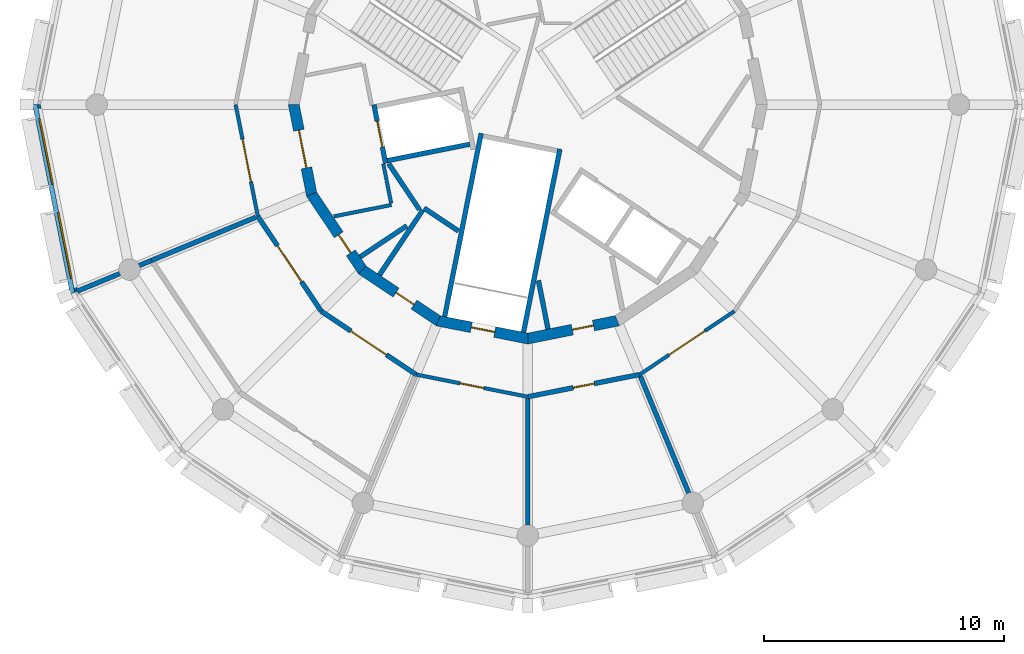
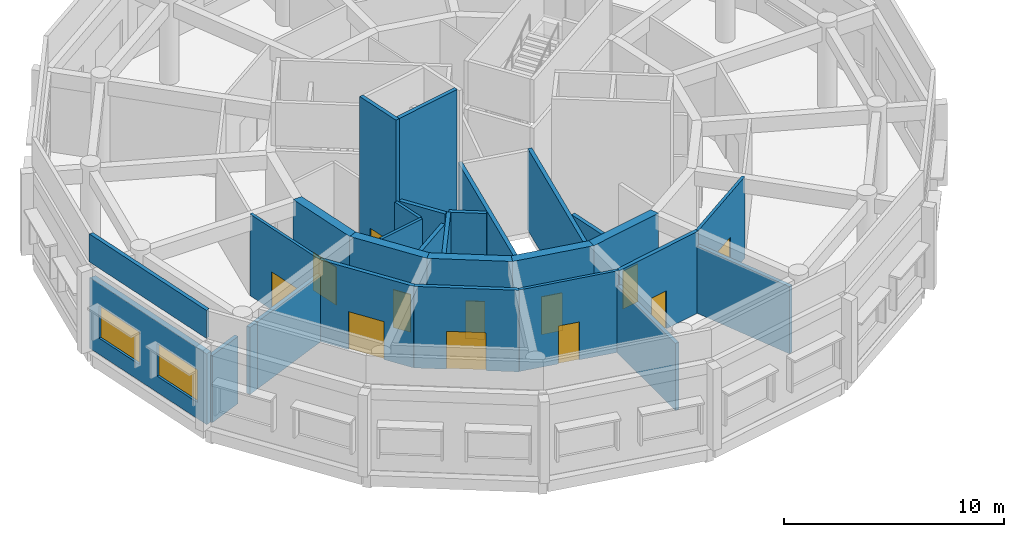
# One storey, part 3 of 8: 29 walls, 12 doors, 2 windows, 14 openings.
"""IFC4 building model written with IfcOpenShell, lengths in metres."""

from ifc_helpers import new_model, si_unit, direction, frame, frame_2d, origin, place, context, subcontext, project, spatial, polyline, rectangle, outline, extrude, material, layer, layer_set, type_object, element, fill, save


model = new_model("IFC4")

# Units and contexts
model_context = context("Model", 3, precision=1e-05, world=origin(), true_north=direction((0.0, 1.0)))
body_context = subcontext(model_context, "Body", "Model", "MODEL_VIEW")
ifc_project = project(units=[si_unit("LENGTHUNIT", "METRE"), si_unit("AREAUNIT", "SQUARE_METRE"), si_unit("VOLUMEUNIT", "CUBIC_METRE"), si_unit("PLANEANGLEUNIT", "RADIAN"), si_unit("MASSUNIT", "GRAM", prefix="KILO")], contexts=[model_context])

# Site, building, storey
site_placement = place(None, origin())
site = spatial("IfcSite", under=ifc_project, at=site_placement, CompositionType="ELEMENT")
building_placement = place(site_placement, origin())
building = spatial("IfcBuilding", under=site, at=building_placement, Name="Ceibo Conservatory and Research Tower", CompositionType="ELEMENT")
storey_placement = place(building_placement, frame((0.0, 0.0, 20.39990234375)))
storey = spatial("IfcBuildingStorey", under=building, at=storey_placement, Name="L04", CompositionType="ELEMENT", Elevation=20.39990234375)

# Wall, opening, door
ifc_material_1 = material(Name="Masonry blockwork", Category="masonry")
ifc_layer_1 = layer(ifc_material_1, 0.199951171875)
ifc_layer_set_1 = layer_set([ifc_layer_1], Name="Masonry blockwork")
wall_type_1 = type_object("IfcWallType", Name="Compartment wall 200 EI 120", PredefinedType="SOLIDWALL", material=ifc_layer_set_1)
wall_1_placement = place(storey_placement, frame((43.331298828125, 108.728759765625, 0.0), z_axis=(0.0, 0.0, 1.0), x_axis=(-0.831481744248, 0.555552075851, 0.0)))
wall_1 = element("IfcWall", 1, at=wall_1_placement, inside=storey, type_object=wall_type_1, Name="Partition 04.009", PredefinedType="SOLIDWALL", context=body_context, shape_type="SweptSolid", body=[
    extrude(rectangle(XDim=4.76025390625, YDim=0.199951171875, at=frame_2d((2.380126953125, 0.0))), origin(), (0.0, 0.0, 1.0), 4.52001953125),
])
opening_1_placement = place(wall_1_placement, frame((1.480224609375, 0.0, 0.0)))
opening_1 = element("IfcOpeningElement", 2, at=opening_1_placement, cuts=wall_1, Name="Opening T04-02", PredefinedType="OPENING", context=body_context, shape_type="SweptSolid", body=[
    extrude(rectangle(XDim=1.800048828125, YDim=2.10009765625, at=frame_2d((0.89990234375, 1.050048828125))), frame((0.0, 0.10986328125, 0.0), z_axis=(0.0, -1.0, 0.0), x_axis=(1.0, 0.0, 0.0)), (0.0, 0.0, 1.0), 0.219970703125),
])
ifc_material_2 = material(Name="Galvanised sheet steel DX51D", Category="steel")
door_type_1 = type_object("IfcDoorType", Name="Door fire double 1800x2100 EI 60", OperationType="DOUBLE_DOOR_SINGLE_SWING", PredefinedType="DOOR", material=ifc_material_2)
door_1_placement = place(opening_1_placement, origin())
door_1 = element("IfcDoor", 3, at=door_1_placement, inside=storey, type_object=door_type_1, Name="Door T04-02", OperationType="DOUBLE_DOOR_SINGLE_SWING", OverallHeight=2.10009765625, OverallWidth=1.800048828125, PredefinedType="DOOR", context=body_context, shape_type="SweptSolid", body=[
    extrude(rectangle(XDim=1.800048828125, YDim=2.10009765625, at=frame_2d((0.89990234375, 1.050048828125))), frame((0.0, 0.02490234375, 0.0), z_axis=(0.0, -1.0, 0.0), x_axis=(1.0, 0.0, 0.0)), (0.0, 0.0, 1.0), 0.050048828125),
])
fill(opening_1, door_1)

wall_2_placement = place(storey_placement, frame((39.373291015625, 111.373291015625, 0.0), z_axis=(0.0, 0.0, 1.0), x_axis=(-0.555552075851, 0.831481744248, 0.0)))
wall_2 = element("IfcWall", 4, at=wall_2_placement, inside=storey, type_object=wall_type_1, Name="Partition 04.010", PredefinedType="SOLIDWALL", context=body_context, shape_type="SweptSolid", body=[
    extrude(rectangle(XDim=4.76025390625, YDim=0.199951171875, at=frame_2d((2.380126953125, 0.0))), origin(), (0.0, 0.0, 1.0), 4.52001953125),
])
opening_2_placement = place(wall_2_placement, frame((1.480224609375, 0.0, 0.0)))
opening_2 = element("IfcOpeningElement", 5, at=opening_2_placement, cuts=wall_2, Name="Opening T04-01", PredefinedType="OPENING", context=body_context, shape_type="SweptSolid", body=[
    extrude(rectangle(XDim=1.800048828125, YDim=2.10009765625, at=frame_2d((0.89990234375, 1.050048828125))), frame((0.0, 0.10986328125, 0.0), z_axis=(0.0, -1.0, 0.0), x_axis=(1.0, 0.0, 0.0)), (0.0, 0.0, 1.0), 0.219970703125),
])
door_2_placement = place(opening_2_placement, origin())
door_2 = element("IfcDoor", 6, at=door_2_placement, inside=storey, type_object=door_type_1, Name="Door T04-01", OperationType="DOUBLE_DOOR_SINGLE_SWING", OverallHeight=2.10009765625, OverallWidth=1.800048828125, PredefinedType="DOOR", context=body_context, shape_type="SweptSolid", body=[
    extrude(rectangle(XDim=1.800048828125, YDim=2.10009765625, at=frame_2d((0.89990234375, 1.050048828125))), frame((0.0, 0.02490234375, 0.0), z_axis=(0.0, -1.0, 0.0), x_axis=(1.0, 0.0, 0.0)), (0.0, 0.0, 1.0), 0.050048828125),
])
fill(opening_2, door_2)

wall_3_placement = place(storey_placement, frame((52.668701171875, 108.728759765625, 0.0), z_axis=(0.0, 0.0, 1.0), x_axis=(-0.980783329432, -0.195100129956, 0.0)))
wall_3 = element("IfcWall", 7, at=wall_3_placement, inside=storey, type_object=wall_type_1, Name="Partition 04.013", PredefinedType="SOLIDWALL", context=body_context, shape_type="SweptSolid", body=[
    extrude(rectangle(XDim=4.76025390625, YDim=0.199951171875, at=frame_2d((2.380126953125, 0.0))), origin(), (0.0, 0.0, 1.0), 4.52001953125),
])
opening_3_placement = place(wall_3_placement, frame((1.93017578125, 0.0, 0.0)))
opening_3 = element("IfcOpeningElement", 8, at=opening_3_placement, cuts=wall_3, Name="Opening T04-05", PredefinedType="OPENING", context=body_context, shape_type="SweptSolid", body=[
    extrude(rectangle(XDim=0.89990234375, YDim=2.10009765625, at=frame_2d((0.449951171875, 1.050048828125))), frame((0.0, 0.10986328125, 0.0), z_axis=(0.0, -1.0, 0.0), x_axis=(1.0, 0.0, 0.0)), (0.0, 0.0, 1.0), 0.219970703125),
])
door_type_2 = type_object("IfcDoorType", Name="Door fire single 900x2100 EI 60 (left hand)", OperationType="SINGLE_SWING_LEFT", PredefinedType="DOOR", material=ifc_material_2)
door_3_placement = place(opening_3_placement, origin())
door_3 = element("IfcDoor", 9, at=door_3_placement, inside=storey, type_object=door_type_2, Name="Door T04-05", OperationType="SINGLE_SWING_LEFT", OverallHeight=2.10009765625, OverallWidth=0.89990234375, PredefinedType="DOOR", context=body_context, shape_type="SweptSolid", body=[
    extrude(rectangle(XDim=0.89990234375, YDim=2.10009765625, at=frame_2d((0.449951171875, 1.050048828125))), frame((0.0, 0.02490234375, 0.0), z_axis=(0.0, -1.0, 0.0), x_axis=(1.0, 0.0, 0.0)), (0.0, 0.0, 1.0), 0.050048828125),
])
fill(opening_3, door_3)

# Walls
wall_4_placement = place(storey_placement, frame((32.294189453125, 113.494384765625, 0.0), z_axis=(0.0, 0.0, 1.0), x_axis=(0.923875105, 0.382694121147, 0.0)))
element("IfcWall", 10, at=wall_4_placement, inside=storey, type_object=wall_type_1, Name="Partition 04.020", PredefinedType="SOLIDWALL", context=body_context, shape_type="SweptSolid", body=[
    extrude(rectangle(XDim=4.702880859375, YDim=0.199951171875, at=frame_2d((2.3515625, 0.0))), origin(), (0.0, 0.0, 1.0), 3.72021484375),
])
wall_5_placement = place(storey_placement, frame((29.183349609375, 112.205810546875, 0.0), z_axis=(0.0, 0.0, 1.0), x_axis=(0.923854683638, 0.382743417344, 0.0)))
element("IfcWall", 11, at=wall_5_placement, inside=storey, type_object=wall_type_1, Name="Partition 04.023", PredefinedType="SOLIDWALL", context=body_context, shape_type="SweptSolid", body=[
    extrude(rectangle(XDim=1.927001953125, YDim=0.199951171875, at=frame_2d((0.96337890625, 0.0))), origin(), (0.0, 0.0, 1.0), 3.72021484375),
])
wall_6_placement = place(storey_placement, frame((31.776611328125, 113.280029296875, 0.0), z_axis=(0.0, 0.0, 1.0), x_axis=(0.92383614176, 0.382788170111, 0.0)))
element("IfcWall", 12, at=wall_6_placement, inside=storey, type_object=wall_type_1, Name="Partition 04.024", PredefinedType="SOLIDWALL", context=body_context, shape_type="SweptSolid", body=[
    extrude(rectangle(XDim=0.56005859375, YDim=0.199951171875, at=frame_2d((0.280029296875, 0.0))), origin(), (0.0, 0.0, 1.0), 3.72021484375),
])
for number, where, z_axis, x_axis, name in (
    (13, (48.0, 107.728515625, 0.0), (0.0, 0.0, 1.0), (0.0, -1.0, 0.0), "Partition 04.026"),
    (14, (52.696044921875, 108.66259765625, 0.0), (0.0, 0.0, 1.0), (0.382696986079, -0.923873918263, 0.0), "Partition 04.027"),
):
    element("IfcWall", number, at=place(storey_placement, frame(where, z_axis=z_axis, x_axis=x_axis)), inside=storey, type_object=wall_type_1, Name=name, PredefinedType="SOLIDWALL", context=body_context, shape_type="SweptSolid", body=[
        extrude(rectangle(XDim=5.28857421875, YDim=0.199951171875, at=frame_2d((2.644287109375, 0.0))), origin(), (0.0, 0.0, 1.0), 3.72021484375),
    ])

# Wall, opening, door
ifc_material_3 = material(Name="Concrete C35/45", Category="concrete")
ifc_layer_2 = layer(ifc_material_3, 0.449951171875)
ifc_layer_set_2 = layer_set([ifc_layer_2], Name="Concrete C35/45")
wall_type_2 = type_object("IfcWallType", Name="Core wall 450 C35", PredefinedType="SHEAR", material=ifc_layer_set_2)
wall_7_placement = place(storey_placement, frame((38.2294921875, 120.0, 0.0), z_axis=(0.0, 0.0, 1.0), x_axis=(0.195069197673, -0.98078948206, 0.0)))
wall_7 = element("IfcWall", 15, at=wall_7_placement, inside=storey, type_object=wall_type_2, Name="Core wall L04 09", PredefinedType="SHEAR", context=body_context, shape_type="SweptSolid", body=[
    extrude(outline(polyline([(-0.044677734375, -0.22509765625), (3.85693359375, -0.22509765625), (3.767578125, 0.22509765625), (0.044677734375, 0.22509765625), (-0.044677734375, -0.22509765625)])), origin(), (0.0, 0.0, 1.0), 4.52001953125),
])
opening_4_placement = place(wall_7_placement, frame((1.0947265625, 0.0, 0.0)))
opening_4 = element("IfcOpeningElement", 16, at=opening_4_placement, cuts=wall_7, Name="Opening C04-06", PredefinedType="OPENING", context=body_context, shape_type="SweptSolid", body=[
    extrude(rectangle(XDim=1.60009765625, YDim=2.10009765625, at=frame_2d((0.800048828125, 1.050048828125))), frame((0.0, 0.23486328125, 0.0), z_axis=(0.0, -1.0, 0.0), x_axis=(1.0, 0.0, 0.0)), (0.0, 0.0, 1.0), 0.469970703125),
])
door_type_3 = type_object("IfcDoorType", Name="Lobby double door 1600x2100 EI 60", OperationType="DOUBLE_DOOR_SINGLE_SWING", PredefinedType="DOOR", material=ifc_material_2)
door_4_placement = place(opening_4_placement, frame((1.60009765625, 0.0, 0.0), z_axis=(0.0, 0.0, 1.0), x_axis=(-1.0, 0.0, 0.0)))
door_4 = element("IfcDoor", 17, at=door_4_placement, inside=storey, type_object=door_type_3, Name="Goods Lift Lobby door 04", OperationType="DOUBLE_DOOR_SINGLE_SWING", OverallHeight=2.10009765625, OverallWidth=1.60009765625, PredefinedType="DOOR", context=body_context, shape_type="SweptSolid", body=[
    extrude(rectangle(XDim=1.60009765625, YDim=2.10009765625, at=frame_2d((0.800048828125, 1.050048828125))), frame((0.0, 0.02490234375, 0.0), z_axis=(0.0, -1.0, 0.0), x_axis=(1.0, 0.0, 0.0)), (0.0, 0.0, 1.0), 0.050048828125),
])
fill(opening_4, door_4)

wall_8_placement = place(storey_placement, frame((38.97314453125, 116.260986328125, 0.0), z_axis=(0.0, 0.0, 1.0), x_axis=(0.555542277102, -0.83148829117, 0.0)))
wall_8 = element("IfcWall", 18, at=wall_8_placement, inside=storey, type_object=wall_type_2, Name="Core wall L04 10", PredefinedType="SHEAR", context=body_context, shape_type="SweptSolid", body=[
    extrude(outline(polyline([(-0.044677734375, -0.22509765625), (3.85693359375, -0.22509765625), (3.767578125, 0.22509765625), (0.044677734375, 0.22509765625), (-0.044677734375, -0.22509765625)])), origin(), (0.0, 0.0, 1.0), 4.52001953125),
])
opening_5_placement = place(wall_8_placement, frame((2.044677734375, 0.0, 0.0)))
opening_5 = element("IfcOpeningElement", 19, at=opening_5_placement, cuts=wall_8, Name="Opening C04-10", PredefinedType="OPENING", context=body_context, shape_type="SweptSolid", body=[
    extrude(rectangle(XDim=0.89990234375, YDim=2.10009765625, at=frame_2d((0.449951171875, 1.050048828125))), frame((0.0, 0.23486328125, 0.0), z_axis=(0.0, -1.0, 0.0), x_axis=(1.0, 0.0, 0.0)), (0.0, 0.0, 1.0), 0.469970703125),
])
door_type_4 = type_object("IfcDoorType", Name="Riser door 900x2100 EI 60 (left hand)", OperationType="SINGLE_SWING_LEFT", PredefinedType="DOOR", material=ifc_material_2)
door_5_placement = place(opening_5_placement, frame((0.89990234375, 0.0, 0.0), z_axis=(0.0, 0.0, 1.0), x_axis=(-1.0, 0.0, 0.0)))
door_5 = element("IfcDoor", 20, at=door_5_placement, inside=storey, type_object=door_type_4, Name="Cleaner Store door 04", OperationType="SINGLE_SWING_LEFT", OverallHeight=2.10009765625, OverallWidth=0.89990234375, PredefinedType="DOOR", context=body_context, shape_type="SweptSolid", body=[
    extrude(rectangle(XDim=0.89990234375, YDim=2.10009765625, at=frame_2d((0.449951171875, 1.050048828125))), frame((0.0, 0.02490234375, 0.0), z_axis=(0.0, -1.0, 0.0), x_axis=(1.0, 0.0, 0.0)), (0.0, 0.0, 1.0), 0.050048828125),
])
fill(opening_5, door_5)

wall_9_placement = place(storey_placement, frame((41.091064453125, 113.091064453125, 0.0), z_axis=(0.0, 0.0, 1.0), x_axis=(0.83148829117, -0.555542277102, 0.0)))
wall_9 = element("IfcWall", 21, at=wall_9_placement, inside=storey, type_object=wall_type_2, Name="Core wall L04 11", PredefinedType="SHEAR", context=body_context, shape_type="SweptSolid", body=[
    extrude(outline(polyline([(-0.044677734375, -0.22509765625), (3.85693359375, -0.22509765625), (3.767578125, 0.22509765625), (0.044677734375, 0.22509765625), (-0.044677734375, -0.22509765625)])), origin(), (0.0, 0.0, 1.0), 4.52001953125),
])
opening_6_placement = place(wall_9_placement, frame((1.694580078125, 0.0, 0.0)))
opening_6 = element("IfcOpeningElement", 22, at=opening_6_placement, cuts=wall_9, Name="Opening C04-09", PredefinedType="OPENING", context=body_context, shape_type="SweptSolid", body=[
    extrude(rectangle(XDim=0.89990234375, YDim=2.10009765625, at=frame_2d((0.449951171875, 1.050048828125))), frame((0.0, 0.23486328125, 0.0), z_axis=(0.0, -1.0, 0.0), x_axis=(1.0, 0.0, 0.0)), (0.0, 0.0, 1.0), 0.469970703125),
])
door_6_placement = place(opening_6_placement, frame((0.89990234375, 0.0, 0.0), z_axis=(0.0, 0.0, 1.0), x_axis=(-1.0, 0.0, 0.0)))
door_6 = element("IfcDoor", 23, at=door_6_placement, inside=storey, type_object=door_type_4, Name="Electrical Riser door 04", OperationType="SINGLE_SWING_LEFT", OverallHeight=2.10009765625, OverallWidth=0.89990234375, PredefinedType="DOOR", context=body_context, shape_type="SweptSolid", body=[
    extrude(rectangle(XDim=0.89990234375, YDim=2.10009765625, at=frame_2d((0.449951171875, 1.050048828125))), frame((0.0, 0.02490234375, 0.0), z_axis=(0.0, -1.0, 0.0), x_axis=(1.0, 0.0, 0.0)), (0.0, 0.0, 1.0), 0.050048828125),
])
fill(opening_6, door_6)

wall_10_placement = place(storey_placement, frame((44.260986328125, 110.97314453125, 0.0), z_axis=(0.0, 0.0, 1.0), x_axis=(0.98078948206, -0.195069197673, 0.0)))
wall_10 = element("IfcWall", 24, at=wall_10_placement, inside=storey, type_object=wall_type_2, Name="Core wall L04 12", PredefinedType="SHEAR", context=body_context, shape_type="SweptSolid", body=[
    extrude(outline(polyline([(-0.044677734375, -0.22509765625), (3.85693359375, -0.22509765625), (3.767578125, 0.22509765625), (0.044677734375, 0.22509765625), (-0.044677734375, -0.22509765625)])), origin(), (0.0, 0.0, 1.0), 4.52001953125),
])
opening_7_placement = place(wall_10_placement, frame((1.40625, 0.0, 0.0)))
opening_7 = element("IfcOpeningElement", 25, at=opening_7_placement, cuts=wall_10, Name="Opening C04-03", PredefinedType="OPENING", context=body_context, shape_type="SweptSolid", body=[
    extrude(rectangle(XDim=1.0, YDim=2.10009765625, at=frame_2d((0.5, 1.050048828125))), frame((0.0, 0.23486328125, 0.0), z_axis=(0.0, -1.0, 0.0), x_axis=(1.0, 0.0, 0.0)), (0.0, 0.0, 1.0), 0.469970703125),
])
door_type_5 = type_object("IfcDoorType", Name="Stair door 1000x2100 EI 120 (left hand)", OperationType="SINGLE_SWING_LEFT", PredefinedType="DOOR", material=ifc_material_2)
door_7_placement = place(opening_7_placement, origin())
door_7 = element("IfcDoor", 26, at=door_7_placement, inside=storey, type_object=door_type_5, Name="Stair door ST3 04", OperationType="SINGLE_SWING_LEFT", OverallHeight=2.10009765625, OverallWidth=1.0, PredefinedType="DOOR", context=body_context, shape_type="SweptSolid", body=[
    extrude(rectangle(XDim=1.0, YDim=2.10009765625, at=frame_2d((0.5, 1.050048828125))), frame((0.0, 0.02490234375, 0.0), z_axis=(0.0, -1.0, 0.0), x_axis=(1.0, 0.0, 0.0)), (0.0, 0.0, 1.0), 0.050048828125),
])
fill(opening_7, door_7)

wall_11_placement = place(storey_placement, frame((48.0, 110.2294921875, 0.0), z_axis=(0.0, 0.0, 1.0), x_axis=(0.98078948206, 0.195069197673, 0.0)))
wall_11 = element("IfcWall", 27, at=wall_11_placement, inside=storey, type_object=wall_type_2, Name="Core wall L04 13", PredefinedType="SHEAR", context=body_context, shape_type="SweptSolid", body=[
    extrude(outline(polyline([(-0.044677734375, -0.22509765625), (3.85693359375, -0.22509765625), (3.767578125, 0.22509765625), (0.044677734375, 0.22509765625), (-0.044677734375, -0.22509765625)])), origin(), (0.0, 0.0, 1.0), 4.52001953125),
])
opening_8_placement = place(wall_11_placement, frame((1.894775390625, 0.0, 0.0)))
opening_8 = element("IfcOpeningElement", 28, at=opening_8_placement, cuts=wall_11, Name="Opening C04-11", PredefinedType="OPENING", context=body_context, shape_type="SweptSolid", body=[
    extrude(rectangle(XDim=0.89990234375, YDim=2.10009765625, at=frame_2d((0.449951171875, 1.050048828125))), frame((0.0, 0.23486328125, 0.0), z_axis=(0.0, -1.0, 0.0), x_axis=(1.0, 0.0, 0.0)), (0.0, 0.0, 1.0), 0.469970703125),
])
door_8_placement = place(opening_8_placement, frame((0.89990234375, 0.0, 0.0), z_axis=(0.0, 0.0, 1.0), x_axis=(-1.0, 0.0, 0.0)))
door_8 = element("IfcDoor", 29, at=door_8_placement, inside=storey, type_object=door_type_4, Name="Cleaner Store door 04", OperationType="SINGLE_SWING_LEFT", OverallHeight=2.10009765625, OverallWidth=0.89990234375, PredefinedType="DOOR", context=body_context, shape_type="SweptSolid", body=[
    extrude(rectangle(XDim=0.89990234375, YDim=2.10009765625, at=frame_2d((0.449951171875, 1.050048828125))), frame((0.0, 0.02490234375, 0.0), z_axis=(0.0, -1.0, 0.0), x_axis=(1.0, 0.0, 0.0)), (0.0, 0.0, 1.0), 0.050048828125),
])
fill(opening_8, door_8)

# Walls
ifc_material_4 = material(Name="Plasterboard on metal studs, fire board")
ifc_layer_3 = layer(ifc_material_4, 0.14990234375)
ifc_layer_set_3 = layer_set([ifc_layer_3], Name="Plasterboard on metal studs, fire board")
wall_type_3 = type_object("IfcWallType", Name="Corridor wall 150 EI 60", PredefinedType="PARTITIONING", material=ifc_layer_set_3)
wall_12_placement = place(storey_placement, frame((39.899169921875, 115.329833984375, 0.0), z_axis=(0.0, 0.0, 1.0), x_axis=(0.980782755583, 0.195103014715, 0.0)))
element("IfcWall", 30, at=wall_12_placement, inside=storey, type_object=wall_type_3, Name="Core partition 04.P004", PredefinedType="PARTITIONING", context=body_context, shape_type="SweptSolid", body=[
    extrude(rectangle(XDim=2.456298828125, YDim=0.14990234375, at=frame_2d((1.22802734375, 0.0))), origin(), (0.0, 0.0, 1.0), 4.52001953125),
])
wall_13_placement = place(storey_placement, frame((42.293701171875, 115.882568359375, 0.0), z_axis=(0.0, 0.0, 1.0), x_axis=(-0.195163043227, 0.980770812452, 0.0)))
element("IfcWall", 31, at=wall_13_placement, inside=storey, type_object=wall_type_3, Name="Core partition 04.P005", PredefinedType="PARTITIONING", context=body_context, shape_type="SweptSolid", body=[
    extrude(rectangle(XDim=1.675048828125, YDim=0.14990234375, at=frame_2d((0.83740234375, 0.0))), origin(), (0.0, 0.0, 1.0), 4.52001953125),
])

# Wall, opening, door
wall_14_placement = place(storey_placement, frame((48.0, 107.800048828125, 0.0), z_axis=(0.0, 0.0, 1.0), x_axis=(-0.980783329432, 0.195100129956, 0.0)))
wall_14 = element("IfcWall", 32, at=wall_14_placement, inside=storey, type_object=wall_type_3, Name="Partition 04.011", PredefinedType="PARTITIONING", context=body_context, shape_type="SweptSolid", body=[
    extrude(rectangle(XDim=4.76025390625, YDim=0.14990234375, at=frame_2d((2.380126953125, 0.0))), origin(), (0.0, 0.0, 1.0), 4.52001953125),
])
opening_9_placement = place(wall_14_placement, frame((1.880126953125, 0.0, 0.0)))
opening_9 = element("IfcOpeningElement", 33, at=opening_9_placement, cuts=wall_14, Name="Opening T04-04", PredefinedType="OPENING", context=body_context, shape_type="SweptSolid", body=[
    extrude(rectangle(XDim=1.0, YDim=2.10009765625, at=frame_2d((0.5, 1.050048828125))), frame((0.0, 0.0849609375, 0.0), z_axis=(0.0, -1.0, 0.0), x_axis=(1.0, 0.0, 0.0)), (0.0, 0.0, 1.0), 0.169921875),
])
door_type_6 = type_object("IfcDoorType", Name="Door fire single wide 1000x2100 EI 60 (left hand)", OperationType="SINGLE_SWING_LEFT", PredefinedType="DOOR", material=ifc_material_2)
door_9_placement = place(opening_9_placement, origin())
door_9 = element("IfcDoor", 34, at=door_9_placement, inside=storey, type_object=door_type_6, Name="Door T04-04", OperationType="SINGLE_SWING_LEFT", OverallHeight=2.10009765625, OverallWidth=1.0, PredefinedType="DOOR", context=body_context, shape_type="SweptSolid", body=[
    extrude(rectangle(XDim=1.0, YDim=2.10009765625, at=frame_2d((0.5, 1.050048828125))), frame((0.0, 0.02490234375, 0.0), z_axis=(0.0, -1.0, 0.0), x_axis=(1.0, 0.0, 0.0)), (0.0, 0.0, 1.0), 0.050048828125),
])
fill(opening_9, door_9)

wall_15_placement = place(storey_placement, frame((36.728759765625, 115.331298828125, 0.0), z_axis=(0.0, 0.0, 1.0), x_axis=(-0.195100129956, 0.980783329432, 0.0)))
wall_15 = element("IfcWall", 35, at=wall_15_placement, inside=storey, type_object=wall_type_3, Name="Partition 04.012", PredefinedType="PARTITIONING", context=body_context, shape_type="SweptSolid", body=[
    extrude(rectangle(XDim=4.76025390625, YDim=0.14990234375, at=frame_2d((2.380126953125, 0.0))), origin(), (0.0, 0.0, 1.0), 4.52001953125),
])
opening_10_placement = place(wall_15_placement, frame((1.480224609375, 0.0, 0.0)))
opening_10 = element("IfcOpeningElement", 36, at=opening_10_placement, cuts=wall_15, Name="Opening T04-14", PredefinedType="OPENING", context=body_context, shape_type="SweptSolid", body=[
    extrude(rectangle(XDim=1.800048828125, YDim=2.10009765625, at=frame_2d((0.89990234375, 1.050048828125))), frame((0.0, 0.0849609375, 0.0), z_axis=(0.0, -1.0, 0.0), x_axis=(1.0, 0.0, 0.0)), (0.0, 0.0, 1.0), 0.169921875),
])
door_10_placement = place(opening_10_placement, frame((1.800048828125, 0.0, 0.0), z_axis=(0.0, 0.0, 1.0), x_axis=(-1.0, 0.0, 0.0)))
door_10 = element("IfcDoor", 37, at=door_10_placement, inside=storey, type_object=door_type_1, Name="Door T04-14", OperationType="DOUBLE_DOOR_SINGLE_SWING", OverallHeight=2.10009765625, OverallWidth=1.800048828125, PredefinedType="DOOR", context=body_context, shape_type="SweptSolid", body=[
    extrude(rectangle(XDim=1.800048828125, YDim=2.10009765625, at=frame_2d((0.89990234375, 1.050048828125))), frame((0.0, 0.02490234375, 0.0), z_axis=(0.0, -1.0, 0.0), x_axis=(1.0, 0.0, 0.0)), (0.0, 0.0, 1.0), 0.050048828125),
])
fill(opening_10, door_10)

wall_16_placement = place(storey_placement, frame((56.626708984375, 111.373291015625, 0.0), z_axis=(0.0, 0.0, 1.0), x_axis=(-0.831481744248, -0.555552075851, 0.0)))
wall_16 = element("IfcWall", 38, at=wall_16_placement, inside=storey, type_object=wall_type_3, Name="Partition 04.016", PredefinedType="PARTITIONING", context=body_context, shape_type="SweptSolid", body=[
    extrude(rectangle(XDim=4.76025390625, YDim=0.14990234375, at=frame_2d((2.380126953125, 0.0))), origin(), (0.0, 0.0, 1.0), 4.52001953125),
])
opening_11_placement = place(wall_16_placement, frame((1.480224609375, 0.0, 0.0)))
opening_11 = element("IfcOpeningElement", 39, at=opening_11_placement, cuts=wall_16, Name="Opening T04-06", PredefinedType="OPENING", context=body_context, shape_type="SweptSolid", body=[
    extrude(rectangle(XDim=1.800048828125, YDim=2.10009765625, at=frame_2d((0.89990234375, 1.050048828125))), frame((0.0, 0.0849609375, 0.0), z_axis=(0.0, -1.0, 0.0), x_axis=(1.0, 0.0, 0.0)), (0.0, 0.0, 1.0), 0.169921875),
])
door_11_placement = place(opening_11_placement, origin())
door_11 = element("IfcDoor", 40, at=door_11_placement, inside=storey, type_object=door_type_1, Name="Door T04-06", OperationType="DOUBLE_DOOR_SINGLE_SWING", OverallHeight=2.10009765625, OverallWidth=1.800048828125, PredefinedType="DOOR", context=body_context, shape_type="SweptSolid", body=[
    extrude(rectangle(XDim=1.800048828125, YDim=2.10009765625, at=frame_2d((0.89990234375, 1.050048828125))), frame((0.0, 0.02490234375, 0.0), z_axis=(0.0, -1.0, 0.0), x_axis=(1.0, 0.0, 0.0)), (0.0, 0.0, 1.0), 0.050048828125),
])
fill(opening_11, door_11)

# Wall, openings, windows
ifc_material_5 = material(Name="Ceramic mosaic tessera")
ifc_layer_4 = layer(ifc_material_5, 0.010009765625, Name="Ceramic mosaic")
ifc_material_6 = material(Name="Polymer-modified bedding mortar")
ifc_layer_5 = layer(ifc_material_6, 0.014892578125, Name="Bedding mortar")
ifc_material_7 = material(Name="Mineral wool insulation")
ifc_layer_6 = layer(ifc_material_7, 0.050048828125, Name="Insulation")
ifc_material_8 = material(Name="Concrete C30/37", Category="concrete")
ifc_layer_7 = layer(ifc_material_8, 0.215087890625, Name="Reinforced concrete leaf")
ifc_material_9 = material(Name="Gypsum plaster")
ifc_layer_8 = layer(ifc_material_9, 0.010009765625, Name="Internal plaster")
ifc_layer_set_4 = layer_set([ifc_layer_4, ifc_layer_5, ifc_layer_6, ifc_layer_7, ifc_layer_8], Name="Concrete C30/37")
wall_type_4 = type_object("IfcWallType", Name="Facade panel wall 300", PredefinedType="SOLIDWALL", material=ifc_layer_set_4)
wall_17_placement = place(storey_placement, frame((27.5, 120.0, 0.0), z_axis=(0.0, 0.0, 1.0), x_axis=(0.195100566, -0.980783242692, 0.0)))
wall_17 = element("IfcWall", 41, at=wall_17_placement, inside=storey, type_object=wall_type_4, Name="Facade wall L04 facet 9", PredefinedType="SOLIDWALL", context=body_context, shape_type="SweptSolid", body=[
    extrude(outline(polyline([(-0.02978515625, -0.14990234375), (8.028564453125, -0.14990234375), (7.968994140625, 0.14990234375), (0.02978515625, 0.14990234375), (-0.02978515625, -0.14990234375)])), origin(), (0.0, 0.0, 1.0), 3.920166015625),
])
opening_12_placement = place(wall_17_placement, frame((0.599609375, 0.0, 0.89990234375)))
opening_12 = element("IfcOpeningElement", 42, at=opening_12_placement, cuts=wall_17, Name="Opening PW2", PredefinedType="OPENING", context=body_context, shape_type="SweptSolid", body=[
    extrude(rectangle(XDim=2.800048828125, YDim=1.800048828125, at=frame_2d((1.39990234375, 0.89990234375))), frame((0.0, 0.159912109375, 0.0), z_axis=(0.0, -1.0, 0.0), x_axis=(1.0, 0.0, 0.0)), (0.0, 0.0, 1.0), 0.320068359375),
])
opening_13_placement = place(wall_17_placement, frame((4.59912109375, 0.0, 0.89990234375)))
opening_13 = element("IfcOpeningElement", 43, at=opening_13_placement, cuts=wall_17, Name="Opening PW2", PredefinedType="OPENING", context=body_context, shape_type="SweptSolid", body=[
    extrude(rectangle(XDim=2.800048828125, YDim=1.800048828125, at=frame_2d((1.39990234375, 0.89990234375))), frame((0.0, 0.159912109375, 0.0), z_axis=(0.0, -1.0, 0.0), x_axis=(1.0, 0.0, 0.0)), (0.0, 0.0, 1.0), 0.320068359375),
])
ifc_material_10 = material(Name="Aluminium frame with double glazing", Category="aluminium")
window_type = type_object("IfcWindowType", Name="Punched window PW1 2800 x 1800", PartitioningType="DOUBLE_PANEL_VERTICAL", PredefinedType="WINDOW", material=ifc_material_10)
window_1_placement = place(opening_12_placement, origin())
window_1 = element("IfcWindow", 44, at=window_1_placement, inside=storey, type_object=window_type, Name="T.L04.F08.WIN.1", OverallHeight=1.800048828125, OverallWidth=2.800048828125, PartitioningType="DOUBLE_PANEL_VERTICAL", PredefinedType="WINDOW", context=body_context, shape_type="SweptSolid", body=[
    extrude(rectangle(XDim=2.800048828125, YDim=1.800048828125, at=frame_2d((1.39990234375, 0.89990234375))), frame((0.0, 0.030029296875, 0.0), z_axis=(0.0, -1.0, 0.0), x_axis=(1.0, 0.0, 0.0)), (0.0, 0.0, 1.0), 0.06005859375),
])
fill(opening_12, window_1)
window_2_placement = place(opening_13_placement, origin())
window_2 = element("IfcWindow", 45, at=window_2_placement, inside=storey, type_object=window_type, Name="T.L04.F08.WIN.2", OverallHeight=1.800048828125, OverallWidth=2.800048828125, PartitioningType="DOUBLE_PANEL_VERTICAL", PredefinedType="WINDOW", context=body_context, shape_type="SweptSolid", body=[
    extrude(rectangle(XDim=2.800048828125, YDim=1.800048828125, at=frame_2d((1.39990234375, 0.89990234375))), frame((0.0, 0.030029296875, 0.0), z_axis=(0.0, -1.0, 0.0), x_axis=(1.0, 0.0, 0.0)), (0.0, 0.0, 1.0), 0.06005859375),
])
fill(opening_13, window_2)

# Walls
ifc_layer_9 = layer(ifc_material_5, 0.010009765625, Name="Ceramic mosaic")
ifc_layer_10 = layer(ifc_material_8, 0.18994140625, Name="Reinforced concrete leaf")
ifc_layer_set_5 = layer_set([ifc_layer_9, ifc_layer_10], Name="Concrete C30/37")
wall_type_5 = type_object("IfcWallType", Name="Parapet wall 200", PredefinedType="PARAPET", material=ifc_layer_set_5)
wall_18_placement = place(storey_placement, frame((27.423583984375, 120.0, 4.800048828125), z_axis=(0.0, 0.0, 1.0), x_axis=(0.195075093926, -0.980788309336, 0.0)))
element("IfcWall", 46, at=wall_18_placement, inside=storey, type_object=wall_type_5, Name="Parapet L04 9", PredefinedType="PARAPET", context=body_context, shape_type="SweptSolid", body=[
    extrude(outline(polyline([(-0.019775390625, -0.10009765625), (8.04833984375, -0.10009765625), (8.0087890625, 0.10009765625), (0.019775390625, 0.10009765625), (-0.019775390625, -0.10009765625)])), origin(), (0.0, 0.0, 1.0), 1.550048828125),
])
ifc_layer_11 = layer(ifc_material_1, 0.199951171875)
ifc_layer_set_6 = layer_set([ifc_layer_11], Name="Masonry blockwork")
wall_type_6 = type_object("IfcWallType", Name="Riser wall 200 EI 120", PredefinedType="SOLIDWALL", material=ifc_layer_set_6)
wall_19_placement = place(storey_placement, frame((43.668701171875, 115.677978515625, 0.0), z_axis=(0.0, 0.0, 1.0), x_axis=(0.831439848025, -0.555614775826, 0.0)))
element("IfcWall", 47, at=wall_19_placement, inside=storey, type_object=wall_type_6, Name="Core partition 04.P018", PredefinedType="SOLIDWALL", context=body_context, shape_type="SweptSolid", body=[
    extrude(rectangle(XDim=1.72412109375, YDim=0.199951171875, at=frame_2d((0.862060546875, 0.0))), origin(), (0.0, 0.0, 1.0), 4.52001953125),
])
wall_20_placement = place(storey_placement, frame((41.80322265625, 112.885986328125, 0.0), z_axis=(0.0, 0.0, 1.0), x_axis=(0.555599142512, 0.83145029487, 0.0)))
element("IfcWall", 48, at=wall_20_placement, inside=storey, type_object=wall_type_6, Name="Core partition 04.P019", PredefinedType="SOLIDWALL", context=body_context, shape_type="SweptSolid", body=[
    extrude(rectangle(XDim=3.2578125, YDim=0.199951171875, at=frame_2d((1.62890625, 0.0))), origin(), (0.0, 0.0, 1.0), 4.52001953125),
])
wall_21_placement = place(storey_placement, frame((42.192138671875, 117.532470703125, 0.0), z_axis=(0.0, 0.0, 1.0), x_axis=(0.555553789041, -0.831480599583, 0.0)))
element("IfcWall", 49, at=wall_21_placement, inside=storey, type_object=wall_type_6, Name="Core partition 04.P020", PredefinedType="SOLIDWALL", context=body_context, shape_type="SweptSolid", body=[
    extrude(rectangle(XDim=2.309326171875, YDim=0.199951171875, at=frame_2d((1.15478515625, 0.0))), origin(), (0.0, 0.0, 1.0), 4.52001953125),
])
wall_22_placement = place(storey_placement, frame((42.948486328125, 114.941162109375, 0.0), z_axis=(0.0, 0.0, 1.0), x_axis=(-0.831409634376, -0.555659985842, 0.0)))
element("IfcWall", 50, at=wall_22_placement, inside=storey, type_object=wall_type_6, Name="Core partition 04.P021", PredefinedType="SOLIDWALL", context=body_context, shape_type="SweptSolid", body=[
    extrude(rectangle(XDim=2.34716796875, YDim=0.199951171875, at=frame_2d((1.173583984375, 0.0))), origin(), (0.0, 0.0, 1.0), 4.52001953125),
])
wall_23_placement = place(storey_placement, frame((48.8447265625, 110.626953125, 0.0), z_axis=(0.0, 0.0, 1.0), x_axis=(-0.195050146699, 0.980793270915, 0.0)))
element("IfcWall", 51, at=wall_23_placement, inside=storey, type_object=wall_type_6, Name="Core partition 04.P022", PredefinedType="SOLIDWALL", context=body_context, shape_type="SweptSolid", body=[
    extrude(rectangle(XDim=2.0703125, YDim=0.199951171875, at=frame_2d((1.03515625, 0.0))), origin(), (0.0, 0.0, 1.0), 4.52001953125),
])

# Wall, opening, door
ifc_layer_12 = layer(ifc_material_3, 0.199951171875)
ifc_layer_set_7 = layer_set([ifc_layer_12], Name="Concrete C35/45")
wall_type_7 = type_object("IfcWallType", Name="Shaft wall 200 C35", PredefinedType="SHEAR", material=ifc_layer_set_7)
wall_24_placement = place(storey_placement, frame((41.5771484375, 119.996826171875, 0.0), z_axis=(0.0, 0.0, 1.0), x_axis=(0.195120673769, -0.980779242576, 0.0)))
wall_24 = element("IfcWall", 52, at=wall_24_placement, inside=storey, type_object=wall_type_7, Name="Shaft wall LG1.F L04", PredefinedType="SHEAR", context=body_context, shape_type="SweptSolid", body=[
    extrude(rectangle(XDim=2.5, YDim=0.199951171875, at=frame_2d((1.25, 0.0))), origin(), (0.0, 0.0, 1.0), 9.02001953125),
])
opening_14_placement = place(wall_24_placement, frame((0.699951171875, 0.0, 0.0)))
opening_14 = element("IfcOpeningElement", 53, at=opening_14_placement, cuts=wall_24, Name="Opening LD-LG1-04", PredefinedType="OPENING", context=body_context, shape_type="SweptSolid", body=[
    extrude(rectangle(XDim=1.10009765625, YDim=2.10009765625, at=frame_2d((0.550048828125, 1.050048828125))), frame((0.0, 0.10986328125, 0.0), z_axis=(0.0, -1.0, 0.0), x_axis=(1.0, 0.0, 0.0)), (0.0, 0.0, 1.0), 0.219970703125),
])
ifc_material_11 = material(Name="Stainless steel AISI 316", Category="steel")
door_type_7 = type_object("IfcDoorType", Name="Lift landing door 1100x2100 EI 120", OperationType="SLIDING_TO_LEFT", PredefinedType="DOOR", material=ifc_material_11)
door_12_placement = place(opening_14_placement, origin())
door_12 = element("IfcDoor", 54, at=door_12_placement, inside=storey, type_object=door_type_7, Name="Lift landing door LG1 04", OperationType="SLIDING_TO_LEFT", OverallHeight=2.10009765625, OverallWidth=1.10009765625, PredefinedType="DOOR", context=body_context, shape_type="SweptSolid", body=[
    extrude(rectangle(XDim=1.10009765625, YDim=2.10009765625, at=frame_2d((0.550048828125, 1.050048828125))), frame((0.0, 0.02490234375, 0.0), z_axis=(0.0, -1.0, 0.0), x_axis=(1.0, 0.0, 0.0)), (0.0, 0.0, 1.0), 0.050048828125),
])
fill(opening_14, door_12)

# Walls
wall_25_placement = place(storey_placement, frame((45.576171875, 118.345458984375, 0.0), z_axis=(0.0, 0.0, 1.0), x_axis=(-0.980781381237, -0.195109923423, 0.0)))
element("IfcWall", 55, at=wall_25_placement, inside=storey, type_object=wall_type_7, Name="Shaft wall LG1.S1 L04", PredefinedType="SHEAR", context=body_context, shape_type="SweptSolid", body=[
    extrude(rectangle(XDim=3.5, YDim=0.199951171875, at=frame_2d((1.75, 0.0))), origin(), (0.0, 0.0, 1.0), 9.02001953125),
])
ifc_layer_13 = layer(ifc_material_3, 0.199951171875)
ifc_layer_set_8 = layer_set([ifc_layer_13], Name="Concrete C35/45")
wall_type_8 = type_object("IfcWallType", Name="Stair wall 200 C35", PredefinedType="SHEAR", material=ifc_layer_set_8)
for number, where, z_axis, x_axis, name in (
    (56, (49.3388671875, 118.145263671875, 0.0), (0.0, 0.0, 1.0), (-0.195092759861, -0.980784795483, 0.0), "Stair wall ST3.W1 L04"),
    (57, (46.05322265625, 118.798828125, 0.0), (0.0, 0.0, 1.0), (-0.195092759861, -0.980784795483, 0.0), "Stair wall ST3.W2 L04"),
):
    element("IfcWall", number, at=place(storey_placement, frame(where, z_axis=z_axis, x_axis=x_axis)), inside=storey, type_object=wall_type_8, Name=name, PredefinedType="SHEAR", context=body_context, shape_type="SweptSolid", body=[
        extrude(rectangle(XDim=7.800048828125, YDim=0.199951171875, at=frame_2d((3.89990234375, 0.0))), origin(), (0.0, 0.0, 1.0), 4.52001953125),
    ])

save(model, "model.ifc")
